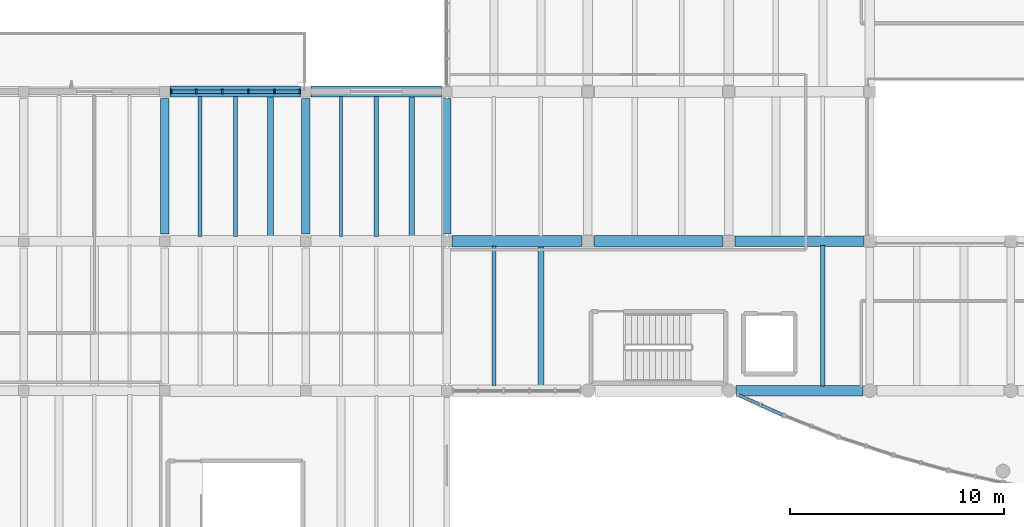
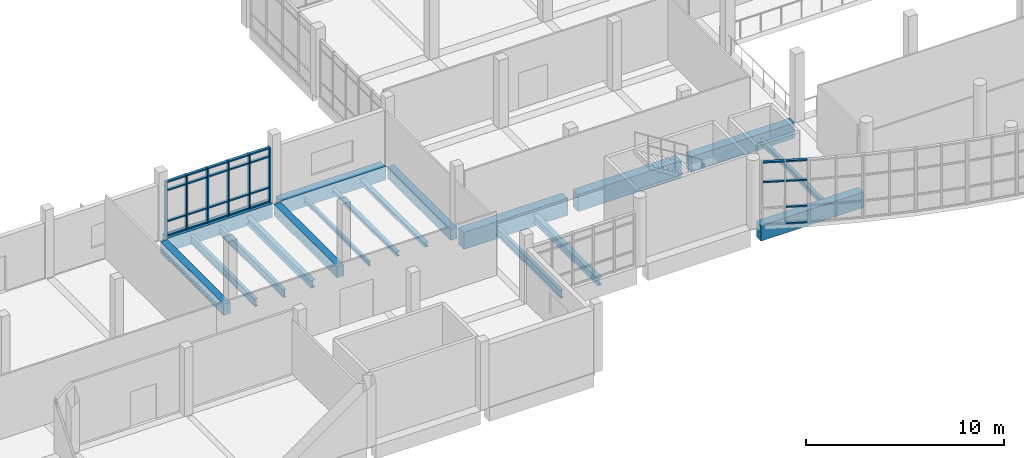
# One storey, part 5 of 65: 32 members, 18 beams, 2 elements without a shape of their own.
"""IFC4 building model written with IfcOpenShell, lengths in metres."""

from ifc_helpers import new_model, si_unit, direction, frame, origin, origin_2d, place, context, subcontext, project, spatial, rectangle, i_section, extrude, material, material_profile, profile_set, type_object, element, aggregate, save


model = new_model("IFC4")

# Units and contexts
model_context = context("Model", 3, precision=1e-05, world=origin(), true_north=direction((0.0, 1.0)))
body_context = subcontext(model_context, "Body", "Model", "MODEL_VIEW")
ifc_project = project(units=[si_unit("LENGTHUNIT", "METRE"), si_unit("AREAUNIT", "SQUARE_METRE"), si_unit("VOLUMEUNIT", "CUBIC_METRE"), si_unit("PLANEANGLEUNIT", "RADIAN"), si_unit("MASSUNIT", "GRAM", prefix="KILO")], contexts=[model_context])

# Site, building, storey
site_placement = place(None, origin())
site = spatial("IfcSite", under=ifc_project, at=site_placement, CompositionType="ELEMENT")
building_placement = place(site_placement, origin())
building = spatial("IfcBuilding", under=site, at=building_placement, Name="Ciguamira Faculty of Natural Sciences", CompositionType="ELEMENT")
storey_placement = place(building_placement, frame((0.0, 0.0, 12.60009765625)))
storey = spatial("IfcBuildingStorey", under=building, at=storey_placement, Name="L03", CompositionType="ELEMENT", Elevation=12.60009765625)

# Curtain wall, members
ifc_material_1 = material(Name="Anodized aluminium curtain wall", Category="aluminium")
curtain_wall_type = type_object("IfcCurtainWallType", Name="CurtainWall_CW-12", PredefinedType="USERDEFINED", material=ifc_material_1)
curtain_wall_1_placement = place(storey_placement, origin())
curtain_wall_1 = element("IfcCurtainWall", 1, at=curtain_wall_1_placement, inside=storey, type_object=curtain_wall_type, Name="L03 unitised curtain wall 0084", ObjectType="UNITISED CURTAIN WALL", PredefinedType="USERDEFINED")
ifc_material_2 = material(Name="Anodized aluminium mullion", Category="aluminium")
ifc_material_profile_1 = material_profile(ifc_material_2, rectangle(XDim=0.080078125, YDim=0.219970703125, at=origin_2d()), Name="ALU-MUL-80X220")
ifc_profile_set_1 = profile_set([ifc_material_profile_1], Name="Anodized aluminium mullion")
member_type_1 = type_object("IfcMemberType", Name="CWMullion_CWM-03", PredefinedType="MULLION", material=ifc_profile_set_1)
member_1_placement = place(storey_placement, frame((37.7900390625, 24.0, 0.0), z_axis=(0.0, 0.0, 1.0), x_axis=(1.0, 0.0, 0.0)))
member_1 = element("IfcMember", 2, at=member_1_placement, type_object=member_type_1, Name="CW-12 mullion 1", PredefinedType="MULLION", context=body_context, shape_type="SweptSolid", body=[
    extrude(rectangle(XDim=0.080078125, YDim=0.219970703125, at=origin_2d()), origin(), (0.0, 0.0, 1.0), 3.364990234375),
])
member_2_placement = place(storey_placement, frame((38.969970703125, 24.0, 0.0), z_axis=(0.0, 0.0, 1.0), x_axis=(1.0, 0.0, 0.0)))
member_2 = element("IfcMember", 3, at=member_2_placement, type_object=member_type_1, Name="CW-12 mullion 2", PredefinedType="MULLION", context=body_context, shape_type="SweptSolid", body=[
    extrude(rectangle(XDim=0.080078125, YDim=0.219970703125, at=origin_2d()), origin(), (0.0, 0.0, 1.0), 3.364990234375),
])
member_3_placement = place(storey_placement, frame((40.18994140625, 24.0, 0.0), z_axis=(0.0, 0.0, 1.0), x_axis=(1.0, 0.0, 0.0)))
member_3 = element("IfcMember", 4, at=member_3_placement, type_object=member_type_1, Name="CW-12 mullion 3", PredefinedType="MULLION", context=body_context, shape_type="SweptSolid", body=[
    extrude(rectangle(XDim=0.080078125, YDim=0.219970703125, at=origin_2d()), origin(), (0.0, 0.0, 1.0), 3.364990234375),
])
member_4_placement = place(storey_placement, frame((41.409912109375, 24.0, 0.0), z_axis=(0.0, 0.0, 1.0), x_axis=(1.0, 0.0, 0.0)))
member_4 = element("IfcMember", 5, at=member_4_placement, type_object=member_type_1, Name="CW-12 mullion 4", PredefinedType="MULLION", context=body_context, shape_type="SweptSolid", body=[
    extrude(rectangle(XDim=0.080078125, YDim=0.219970703125, at=origin_2d()), origin(), (0.0, 0.0, 1.0), 3.364990234375),
])
member_5_placement = place(storey_placement, frame((42.6298828125, 24.0, 0.0), z_axis=(0.0, 0.0, 1.0), x_axis=(1.0, 0.0, 0.0)))
member_5 = element("IfcMember", 6, at=member_5_placement, type_object=member_type_1, Name="CW-12 mullion 5", PredefinedType="MULLION", context=body_context, shape_type="SweptSolid", body=[
    extrude(rectangle(XDim=0.080078125, YDim=0.219970703125, at=origin_2d()), origin(), (0.0, 0.0, 1.0), 3.364990234375),
])
member_6_placement = place(storey_placement, frame((43.81005859375, 24.0, 0.0), z_axis=(0.0, 0.0, 1.0), x_axis=(1.0, 0.0, 0.0)))
member_6 = element("IfcMember", 7, at=member_6_placement, type_object=member_type_1, Name="CW-12 mullion 6", PredefinedType="MULLION", context=body_context, shape_type="SweptSolid", body=[
    extrude(rectangle(XDim=0.080078125, YDim=0.219970703125, at=origin_2d()), origin(), (0.0, 0.0, 1.0), 3.364990234375),
])
ifc_material_3 = material(Name="Anodized aluminium transom", Category="aluminium")
ifc_material_profile_2 = material_profile(ifc_material_3, rectangle(XDim=0.080078125, YDim=0.159912109375, at=origin_2d()), Name="ALU-TRN-80X160")
ifc_profile_set_2 = profile_set([ifc_material_profile_2], Name="Anodized aluminium transom")
member_type_2 = type_object("IfcMemberType", Name="CWTransom_CWT-03", PredefinedType="USERDEFINED", material=ifc_profile_set_2)
member_7_placement = place(storey_placement, frame((37.830078125, 24.0, 0.039794921875), z_axis=(1.0, 0.0, 0.0), x_axis=(0.0, 0.0, 1.0)))
member_7 = element("IfcMember", 8, at=member_7_placement, type_object=member_type_2, Name="CW-12 transom 1.1", ObjectType="TRANSOM", PredefinedType="USERDEFINED", context=body_context, shape_type="SweptSolid", body=[
    extrude(rectangle(XDim=0.080078125, YDim=0.159912109375, at=origin_2d()), origin(), (0.0, 0.0, 1.0), 1.099853515625),
])
member_8_placement = place(storey_placement, frame((37.830078125, 24.0, 0.89990234375), z_axis=(1.0, 0.0, 0.0), x_axis=(0.0, 0.0, 1.0)))
member_8 = element("IfcMember", 9, at=member_8_placement, type_object=member_type_2, Name="CW-12 transom 1.2", ObjectType="TRANSOM", PredefinedType="USERDEFINED", context=body_context, shape_type="SweptSolid", body=[
    extrude(rectangle(XDim=0.080078125, YDim=0.159912109375, at=origin_2d()), origin(), (0.0, 0.0, 1.0), 1.099853515625),
])
member_9_placement = place(storey_placement, frame((37.830078125, 24.0, 2.81494140625), z_axis=(1.0, 0.0, 0.0), x_axis=(0.0, 0.0, 1.0)))
member_9 = element("IfcMember", 10, at=member_9_placement, type_object=member_type_2, Name="CW-12 transom 1.3", ObjectType="TRANSOM", PredefinedType="USERDEFINED", context=body_context, shape_type="SweptSolid", body=[
    extrude(rectangle(XDim=0.080078125, YDim=0.159912109375, at=origin_2d()), origin(), (0.0, 0.0, 1.0), 1.099853515625),
])
member_10_placement = place(storey_placement, frame((37.830078125, 24.0, 3.324951171875), z_axis=(1.0, 0.0, 0.0), x_axis=(0.0, 0.0, 1.0)))
member_10 = element("IfcMember", 11, at=member_10_placement, type_object=member_type_2, Name="CW-12 transom 1.4", ObjectType="TRANSOM", PredefinedType="USERDEFINED", context=body_context, shape_type="SweptSolid", body=[
    extrude(rectangle(XDim=0.080078125, YDim=0.159912109375, at=origin_2d()), origin(), (0.0, 0.0, 1.0), 1.099853515625),
])
member_11_placement = place(storey_placement, frame((39.010009765625, 24.0, 0.039794921875), z_axis=(1.0, 0.0, 0.0), x_axis=(0.0, 0.0, 1.0)))
member_11 = element("IfcMember", 12, at=member_11_placement, type_object=member_type_2, Name="CW-12 transom 2.1", ObjectType="TRANSOM", PredefinedType="USERDEFINED", context=body_context, shape_type="SweptSolid", body=[
    extrude(rectangle(XDim=0.080078125, YDim=0.159912109375, at=origin_2d()), origin(), (0.0, 0.0, 1.0), 1.139892578125),
])
member_12_placement = place(storey_placement, frame((39.010009765625, 24.0, 0.89990234375), z_axis=(1.0, 0.0, 0.0), x_axis=(0.0, 0.0, 1.0)))
member_12 = element("IfcMember", 13, at=member_12_placement, type_object=member_type_2, Name="CW-12 transom 2.2", ObjectType="TRANSOM", PredefinedType="USERDEFINED", context=body_context, shape_type="SweptSolid", body=[
    extrude(rectangle(XDim=0.080078125, YDim=0.159912109375, at=origin_2d()), origin(), (0.0, 0.0, 1.0), 1.139892578125),
])
member_13_placement = place(storey_placement, frame((39.010009765625, 24.0, 2.81494140625), z_axis=(1.0, 0.0, 0.0), x_axis=(0.0, 0.0, 1.0)))
member_13 = element("IfcMember", 14, at=member_13_placement, type_object=member_type_2, Name="CW-12 transom 2.3", ObjectType="TRANSOM", PredefinedType="USERDEFINED", context=body_context, shape_type="SweptSolid", body=[
    extrude(rectangle(XDim=0.080078125, YDim=0.159912109375, at=origin_2d()), origin(), (0.0, 0.0, 1.0), 1.139892578125),
])
member_14_placement = place(storey_placement, frame((39.010009765625, 24.0, 3.324951171875), z_axis=(1.0, 0.0, 0.0), x_axis=(0.0, 0.0, 1.0)))
member_14 = element("IfcMember", 15, at=member_14_placement, type_object=member_type_2, Name="CW-12 transom 2.4", ObjectType="TRANSOM", PredefinedType="USERDEFINED", context=body_context, shape_type="SweptSolid", body=[
    extrude(rectangle(XDim=0.080078125, YDim=0.159912109375, at=origin_2d()), origin(), (0.0, 0.0, 1.0), 1.139892578125),
])
member_15_placement = place(storey_placement, frame((40.22998046875, 24.0, 0.039794921875), z_axis=(1.0, 0.0, 0.0), x_axis=(0.0, 0.0, 1.0)))
member_15 = element("IfcMember", 16, at=member_15_placement, type_object=member_type_2, Name="CW-12 transom 3.1", ObjectType="TRANSOM", PredefinedType="USERDEFINED", context=body_context, shape_type="SweptSolid", body=[
    extrude(rectangle(XDim=0.080078125, YDim=0.159912109375, at=origin_2d()), origin(), (0.0, 0.0, 1.0), 1.14013671875),
])
member_16_placement = place(storey_placement, frame((40.22998046875, 24.0, 0.89990234375), z_axis=(1.0, 0.0, 0.0), x_axis=(0.0, 0.0, 1.0)))
member_16 = element("IfcMember", 17, at=member_16_placement, type_object=member_type_2, Name="CW-12 transom 3.2", ObjectType="TRANSOM", PredefinedType="USERDEFINED", context=body_context, shape_type="SweptSolid", body=[
    extrude(rectangle(XDim=0.080078125, YDim=0.159912109375, at=origin_2d()), origin(), (0.0, 0.0, 1.0), 1.14013671875),
])
member_17_placement = place(storey_placement, frame((40.22998046875, 24.0, 2.81494140625), z_axis=(1.0, 0.0, 0.0), x_axis=(0.0, 0.0, 1.0)))
member_17 = element("IfcMember", 18, at=member_17_placement, type_object=member_type_2, Name="CW-12 transom 3.3", ObjectType="TRANSOM", PredefinedType="USERDEFINED", context=body_context, shape_type="SweptSolid", body=[
    extrude(rectangle(XDim=0.080078125, YDim=0.159912109375, at=origin_2d()), origin(), (0.0, 0.0, 1.0), 1.14013671875),
])
member_18_placement = place(storey_placement, frame((40.22998046875, 24.0, 3.324951171875), z_axis=(1.0, 0.0, 0.0), x_axis=(0.0, 0.0, 1.0)))
member_18 = element("IfcMember", 19, at=member_18_placement, type_object=member_type_2, Name="CW-12 transom 3.4", ObjectType="TRANSOM", PredefinedType="USERDEFINED", context=body_context, shape_type="SweptSolid", body=[
    extrude(rectangle(XDim=0.080078125, YDim=0.159912109375, at=origin_2d()), origin(), (0.0, 0.0, 1.0), 1.14013671875),
])
member_19_placement = place(storey_placement, frame((41.449951171875, 24.0, 0.039794921875), z_axis=(1.0, 0.0, 0.0), x_axis=(0.0, 0.0, 1.0)))
member_19 = element("IfcMember", 20, at=member_19_placement, type_object=member_type_2, Name="CW-12 transom 4.1", ObjectType="TRANSOM", PredefinedType="USERDEFINED", context=body_context, shape_type="SweptSolid", body=[
    extrude(rectangle(XDim=0.080078125, YDim=0.159912109375, at=origin_2d()), origin(), (0.0, 0.0, 1.0), 1.14013671875),
])
member_20_placement = place(storey_placement, frame((41.449951171875, 24.0, 0.89990234375), z_axis=(1.0, 0.0, 0.0), x_axis=(0.0, 0.0, 1.0)))
member_20 = element("IfcMember", 21, at=member_20_placement, type_object=member_type_2, Name="CW-12 transom 4.2", ObjectType="TRANSOM", PredefinedType="USERDEFINED", context=body_context, shape_type="SweptSolid", body=[
    extrude(rectangle(XDim=0.080078125, YDim=0.159912109375, at=origin_2d()), origin(), (0.0, 0.0, 1.0), 1.14013671875),
])
member_21_placement = place(storey_placement, frame((41.449951171875, 24.0, 2.81494140625), z_axis=(1.0, 0.0, 0.0), x_axis=(0.0, 0.0, 1.0)))
member_21 = element("IfcMember", 22, at=member_21_placement, type_object=member_type_2, Name="CW-12 transom 4.3", ObjectType="TRANSOM", PredefinedType="USERDEFINED", context=body_context, shape_type="SweptSolid", body=[
    extrude(rectangle(XDim=0.080078125, YDim=0.159912109375, at=origin_2d()), origin(), (0.0, 0.0, 1.0), 1.14013671875),
])
member_22_placement = place(storey_placement, frame((41.449951171875, 24.0, 3.324951171875), z_axis=(1.0, 0.0, 0.0), x_axis=(0.0, 0.0, 1.0)))
member_22 = element("IfcMember", 23, at=member_22_placement, type_object=member_type_2, Name="CW-12 transom 4.4", ObjectType="TRANSOM", PredefinedType="USERDEFINED", context=body_context, shape_type="SweptSolid", body=[
    extrude(rectangle(XDim=0.080078125, YDim=0.159912109375, at=origin_2d()), origin(), (0.0, 0.0, 1.0), 1.14013671875),
])
member_23_placement = place(storey_placement, frame((42.669921875, 24.0, 0.039794921875), z_axis=(1.0, 0.0, 0.0), x_axis=(0.0, 0.0, 1.0)))
member_23 = element("IfcMember", 24, at=member_23_placement, type_object=member_type_2, Name="CW-12 transom 5.1", ObjectType="TRANSOM", PredefinedType="USERDEFINED", context=body_context, shape_type="SweptSolid", body=[
    extrude(rectangle(XDim=0.080078125, YDim=0.159912109375, at=origin_2d()), origin(), (0.0, 0.0, 1.0), 1.10009765625),
])
member_24_placement = place(storey_placement, frame((42.669921875, 24.0, 0.89990234375), z_axis=(1.0, 0.0, 0.0), x_axis=(0.0, 0.0, 1.0)))
member_24 = element("IfcMember", 25, at=member_24_placement, type_object=member_type_2, Name="CW-12 transom 5.2", ObjectType="TRANSOM", PredefinedType="USERDEFINED", context=body_context, shape_type="SweptSolid", body=[
    extrude(rectangle(XDim=0.080078125, YDim=0.159912109375, at=origin_2d()), origin(), (0.0, 0.0, 1.0), 1.10009765625),
])
member_25_placement = place(storey_placement, frame((42.669921875, 24.0, 2.81494140625), z_axis=(1.0, 0.0, 0.0), x_axis=(0.0, 0.0, 1.0)))
member_25 = element("IfcMember", 26, at=member_25_placement, type_object=member_type_2, Name="CW-12 transom 5.3", ObjectType="TRANSOM", PredefinedType="USERDEFINED", context=body_context, shape_type="SweptSolid", body=[
    extrude(rectangle(XDim=0.080078125, YDim=0.159912109375, at=origin_2d()), origin(), (0.0, 0.0, 1.0), 1.10009765625),
])
member_26_placement = place(storey_placement, frame((42.669921875, 24.0, 3.324951171875), z_axis=(1.0, 0.0, 0.0), x_axis=(0.0, 0.0, 1.0)))
member_26 = element("IfcMember", 27, at=member_26_placement, type_object=member_type_2, Name="CW-12 transom 5.4", ObjectType="TRANSOM", PredefinedType="USERDEFINED", context=body_context, shape_type="SweptSolid", body=[
    extrude(rectangle(XDim=0.080078125, YDim=0.159912109375, at=origin_2d()), origin(), (0.0, 0.0, 1.0), 1.10009765625),
])
aggregate(curtain_wall_1, [member_1, member_2, member_3, member_4, member_5, member_6, member_7, member_8, member_9, member_10, member_11, member_12, member_13, member_14, member_15, member_16, member_17, member_18, member_19, member_20, member_21, member_22, member_23, member_24, member_25, member_26])

curtain_wall_2_placement = place(storey_placement, origin())
curtain_wall_2 = element("IfcCurtainWall", 28, at=curtain_wall_2_placement, inside=storey, type_object=curtain_wall_type, Name="L03 south gallery curved curtain wall 01", ObjectType="UNITISED CURTAIN WALL", PredefinedType="USERDEFINED")
member_27_placement = place(storey_placement, frame((64.355224609375, 9.793212890625, 2.64990234375), z_axis=(0.910621924114, -0.413240500585, 0.0), x_axis=(0.0, 0.0, 1.0)))
member_27 = element("IfcMember", 29, at=member_27_placement, type_object=member_type_2, Name="CW-12 transom 1.3", ObjectType="TRANSOM", PredefinedType="USERDEFINED", context=body_context, shape_type="SweptSolid", body=[
    extrude(rectangle(XDim=0.080078125, YDim=0.159912109375, at=origin_2d()), origin(), (0.0, 0.0, 1.0), 1.079345703125),
])
member_28_placement = place(storey_placement, frame((64.355224609375, 9.793212890625, 3.85986328125), z_axis=(0.910621924114, -0.413240500585, 0.0), x_axis=(0.0, 0.0, 1.0)))
member_28 = element("IfcMember", 30, at=member_28_placement, type_object=member_type_2, Name="CW-12 transom 1.4", ObjectType="TRANSOM", PredefinedType="USERDEFINED", context=body_context, shape_type="SweptSolid", body=[
    extrude(rectangle(XDim=0.080078125, YDim=0.159912109375, at=origin_2d()), origin(), (0.0, 0.0, 1.0), 1.079345703125),
])
member_29_placement = place(storey_placement, frame((65.410888671875, 9.314208984375, 0.039794921875), z_axis=(0.910536797913, -0.413428034422, 0.0), x_axis=(0.0, 0.0, 1.0)))
member_29 = element("IfcMember", 31, at=member_29_placement, type_object=member_type_2, Name="CW-12 transom 2.1", ObjectType="TRANSOM", PredefinedType="USERDEFINED", context=body_context, shape_type="SweptSolid", body=[
    extrude(rectangle(XDim=0.080078125, YDim=0.159912109375, at=origin_2d()), origin(), (0.0, 0.0, 1.0), 1.07958984375),
])
member_30_placement = place(storey_placement, frame((65.410888671875, 9.314208984375, 1.0498046875), z_axis=(0.910536797913, -0.413428034422, 0.0), x_axis=(0.0, 0.0, 1.0)))
member_30 = element("IfcMember", 32, at=member_30_placement, type_object=member_type_2, Name="CW-12 transom 2.2", ObjectType="TRANSOM", PredefinedType="USERDEFINED", context=body_context, shape_type="SweptSolid", body=[
    extrude(rectangle(XDim=0.080078125, YDim=0.159912109375, at=origin_2d()), origin(), (0.0, 0.0, 1.0), 1.07958984375),
])
member_31_placement = place(storey_placement, frame((65.410888671875, 9.314208984375, 2.64990234375), z_axis=(0.910536797913, -0.413428034422, 0.0), x_axis=(0.0, 0.0, 1.0)))
member_31 = element("IfcMember", 33, at=member_31_placement, type_object=member_type_2, Name="CW-12 transom 2.3", ObjectType="TRANSOM", PredefinedType="USERDEFINED", context=body_context, shape_type="SweptSolid", body=[
    extrude(rectangle(XDim=0.080078125, YDim=0.159912109375, at=origin_2d()), origin(), (0.0, 0.0, 1.0), 1.07958984375),
])
member_32_placement = place(storey_placement, frame((65.410888671875, 9.314208984375, 3.85986328125), z_axis=(0.910536797913, -0.413428034422, 0.0), x_axis=(0.0, 0.0, 1.0)))
member_32 = element("IfcMember", 34, at=member_32_placement, type_object=member_type_2, Name="CW-12 transom 2.4", ObjectType="TRANSOM", PredefinedType="USERDEFINED", context=body_context, shape_type="SweptSolid", body=[
    extrude(rectangle(XDim=0.080078125, YDim=0.159912109375, at=origin_2d()), origin(), (0.0, 0.0, 1.0), 1.07958984375),
])
aggregate(curtain_wall_2, [member_27, member_28, member_29, member_30, member_31, member_32])

# Beams
ifc_material_4 = material(Name="Concrete C40/50", Category="concrete")
ifc_material_profile_3 = material_profile(ifc_material_4, rectangle(XDim=0.550048828125, YDim=1.050048828125, at=origin_2d()), Name="RC-BM-550X1050")
ifc_profile_set_3 = profile_set([ifc_material_profile_3], Name="Concrete C40/50")
beam_type_1 = type_object("IfcBeamType", Name="RCBeam_BG-01_RC-BM-550X1050", PredefinedType="BEAM", material=ifc_profile_set_3)
beam_1_placement = place(storey_placement, frame((50.949951171875, 17.0, -0.525146484375), z_axis=(1.0, 0.0, 0.0), x_axis=(0.0, 1.0, 0.0)))
element("IfcBeam", 35, at=beam_1_placement, inside=storey, type_object=beam_type_1, Name="L03 RC girder EW-1045", PredefinedType="BEAM", context=body_context, shape_type="SweptSolid", body=[
    extrude(rectangle(XDim=0.550048828125, YDim=1.050048828125, at=origin_2d()), origin(), (0.0, 0.0, 1.0), 6.050048828125),
])
beam_2_placement = place(storey_placement, frame((57.60009765625, 17.0, -0.525146484375), z_axis=(1.0, 0.0, 0.0), x_axis=(0.0, 1.0, 0.0)))
element("IfcBeam", 36, at=beam_2_placement, inside=storey, type_object=beam_type_1, Name="L03 RC girder EW-1046", PredefinedType="BEAM", context=body_context, shape_type="SweptSolid", body=[
    extrude(rectangle(XDim=0.550048828125, YDim=1.050048828125, at=origin_2d()), origin(), (0.0, 0.0, 1.0), 6.0),
])
ifc_material_profile_4 = material_profile(ifc_material_4, rectangle(XDim=0.5, YDim=0.949951171875, at=origin_2d()), Name="RC-BM-500X950")
ifc_profile_set_4 = profile_set([ifc_material_profile_4], Name="Concrete C40/50")
beam_type_2 = type_object("IfcBeamType", Name="RCBeam_BG-02_RC-BM-500X950", PredefinedType="BEAM", material=ifc_profile_set_4)
beam_3_placement = place(storey_placement, frame((64.22509765625, 10.0, -0.47509765625), z_axis=(1.0, 0.0, 0.0), x_axis=(0.0, 1.0, 0.0)))
element("IfcBeam", 37, at=beam_3_placement, inside=storey, type_object=beam_type_2, Name="L03 RC girder EW-1029", PredefinedType="BEAM", context=body_context, shape_type="SweptSolid", body=[
    extrude(rectangle(XDim=0.5, YDim=0.949951171875, at=origin_2d()), origin(), (0.0, 0.0, 1.0), 5.949951171875),
])
beam_4_placement = place(storey_placement, frame((64.199951171875, 17.0, -0.47509765625), z_axis=(1.0, 0.0, 0.0), x_axis=(0.0, 1.0, 0.0)))
element("IfcBeam", 38, at=beam_4_placement, inside=storey, type_object=beam_type_2, Name="L03 RC girder EW-1047", PredefinedType="BEAM", context=body_context, shape_type="SweptSolid", body=[
    extrude(rectangle(XDim=0.5, YDim=0.949951171875, at=origin_2d()), origin(), (0.0, 0.0, 1.0), 6.0),
])
ifc_material_profile_5 = material_profile(ifc_material_4, rectangle(XDim=0.39990234375, YDim=0.699951171875, at=origin_2d()), Name="RC-BM-400X700")
ifc_profile_set_5 = profile_set([ifc_material_profile_5], Name="Concrete C40/50")
beam_type_3 = type_object("IfcBeamType", Name="RCBeam_BG-08_RC-BM-400X700", PredefinedType="BEAM", material=ifc_profile_set_5)
for number, where, z_axis, x_axis, name in (
    (39, (37.5, 17.324951171875, -0.35009765625), (0.0, 1.0, 0.0), (-1.0, 0.0, 0.0), "L03 girder NS-1197"),
    (40, (44.10009765625, 17.324951171875, -0.35009765625), (0.0, 1.0, 0.0), (-1.0, 0.0, 0.0), "L03 girder NS-1199"),
    (41, (50.699951171875, 17.324951171875, -0.35009765625), (0.0, 1.0, 0.0), (-1.0, 0.0, 0.0), "L03 girder NS-1202"),
):
    element("IfcBeam", number, at=place(storey_placement, frame(where, z_axis=z_axis, x_axis=x_axis)), inside=storey, type_object=beam_type_3, Name=name, PredefinedType="BEAM", context=body_context, shape_type="SweptSolid", body=[
        extrude(rectangle(XDim=0.39990234375, YDim=0.699951171875, at=origin_2d()), origin(), (0.0, 0.0, 1.0), 6.35009765625),
    ])
ifc_material_profile_6 = material_profile(ifc_material_4, rectangle(XDim=0.52001953125, YDim=0.840087890625, at=origin_2d()), Name="RC-TB-520X840")
ifc_profile_set_6 = profile_set([ifc_material_profile_6], Name="Concrete C40/50")
beam_type_4 = type_object("IfcBeamType", Name="RCBeam_TB-02_RC-TB-520X840", PredefinedType="T_BEAM", material=ifc_profile_set_6)
beam_5_placement = place(storey_placement, frame((37.75, 24.0, -0.420166015625), z_axis=(1.0, 0.0, 0.0), x_axis=(0.0, 1.0, 0.0)))
element("IfcBeam", 42, at=beam_5_placement, inside=storey, type_object=beam_type_4, Name="L03 RC girder EW-1061", PredefinedType="T_BEAM", context=body_context, shape_type="SweptSolid", body=[
    extrude(rectangle(XDim=0.52001953125, YDim=0.840087890625, at=origin_2d()), origin(), (0.0, 0.0, 1.0), 6.10009765625),
])
beam_6_placement = place(storey_placement, frame((44.35009765625, 24.0, -0.420166015625), z_axis=(1.0, 0.0, 0.0), x_axis=(0.0, 1.0, 0.0)))
element("IfcBeam", 43, at=beam_6_placement, inside=storey, type_object=beam_type_4, Name="L03 RC girder EW-1062", PredefinedType="T_BEAM", context=body_context, shape_type="SweptSolid", body=[
    extrude(rectangle(XDim=0.52001953125, YDim=0.840087890625, at=origin_2d()), origin(), (0.0, 0.0, 1.0), 6.099853515625),
])
ifc_material_5 = material(Name="Steel ASTM A992 Grade 50", Category="steel")
ifc_material_profile_7 = material_profile(ifc_material_5, i_section(OverallWidth=0.14599609375, OverallDepth=0.259033203125, WebThickness=0.006103515625, FlangeThickness=0.009033203125, at=origin_2d()), Name="W10X22")
ifc_profile_set_7 = profile_set([ifc_material_profile_7], Name="Steel ASTM A992 Grade 50")
beam_type_5 = type_object("IfcBeamType", Name="SteelJoist_SJ-01_W10X22", PredefinedType="JOIST", material=ifc_profile_set_7)
beam_7_placement = place(storey_placement, frame((45.75, 17.219970703125, -0.3896484375), z_axis=(0.0, 1.0, 0.0), x_axis=(-1.0, 0.0, 0.0)))
element("IfcBeam", 44, at=beam_7_placement, inside=storey, type_object=beam_type_5, Name="L03 composite steel joist 01010", PredefinedType="JOIST", context=body_context, shape_type="SweptSolid", body=[
    extrude(i_section(OverallWidth=0.14599609375, OverallDepth=0.259033203125, WebThickness=0.006103515625, FlangeThickness=0.009033203125, at=origin_2d()), origin(), (0.0, 0.0, 1.0), 6.56005859375),
])
ifc_material_profile_8 = material_profile(ifc_material_5, i_section(OverallWidth=0.2021484375, OverallDepth=0.2470703125, WebThickness=0.00732421875, FlangeThickness=0.010986328125, at=origin_2d()), Name="W10X33")
ifc_profile_set_8 = profile_set([ifc_material_profile_8], Name="Steel ASTM A992 Grade 50")
beam_type_6 = type_object("IfcBeamType", Name="SteelJoist_SJ-02_W10X33", PredefinedType="JOIST", material=ifc_profile_set_8)
beam_8_placement = place(storey_placement, frame((47.39990234375, 17.219970703125, -0.3837890625), z_axis=(0.0, 1.0, 0.0), x_axis=(-1.0, 0.0, 0.0)))
element("IfcBeam", 45, at=beam_8_placement, inside=storey, type_object=beam_type_6, Name="L03 composite steel joist 01011", PredefinedType="JOIST", context=body_context, shape_type="SweptSolid", body=[
    extrude(i_section(OverallWidth=0.2021484375, OverallDepth=0.2470703125, WebThickness=0.00732421875, FlangeThickness=0.010986328125, at=origin_2d()), origin(), (0.0, 0.0, 1.0), 6.56005859375),
])
ifc_material_profile_9 = material_profile(ifc_material_5, i_section(OverallWidth=0.25390625, OverallDepth=0.25390625, WebThickness=0.008544921875, FlangeThickness=0.01416015625, at=origin_2d()), Name="W10X49")
ifc_profile_set_9 = profile_set([ifc_material_profile_9], Name="Steel ASTM A992 Grade 50")
beam_type_7 = type_object("IfcBeamType", Name="SteelJoist_SJ-03_W10X49", PredefinedType="JOIST", material=ifc_profile_set_9)
beam_9_placement = place(storey_placement, frame((49.050048828125, 17.219970703125, -0.38720703125), z_axis=(0.0, 1.0, 0.0), x_axis=(-1.0, 0.0, 0.0)))
element("IfcBeam", 46, at=beam_9_placement, inside=storey, type_object=beam_type_7, Name="L03 composite steel joist 01012", PredefinedType="JOIST", context=body_context, shape_type="SweptSolid", body=[
    extrude(i_section(OverallWidth=0.25390625, OverallDepth=0.25390625, WebThickness=0.008544921875, FlangeThickness=0.01416015625, at=origin_2d()), origin(), (0.0, 0.0, 1.0), 6.56005859375),
])
ifc_material_profile_10 = material_profile(ifc_material_5, i_section(OverallWidth=0.20458984375, OverallDepth=0.307373046875, WebThickness=0.008544921875, FlangeThickness=0.0146484375, at=origin_2d()), Name="W12X45")
ifc_profile_set_10 = profile_set([ifc_material_profile_10], Name="Steel ASTM A992 Grade 50")
beam_type_8 = type_object("IfcBeamType", Name="SteelJoist_SJ-06_W12X45", PredefinedType="JOIST", material=ifc_profile_set_10)
beam_10_placement = place(storey_placement, frame((68.300048828125, 10.2099609375, -0.453857421875), z_axis=(0.0, 1.0, 0.0), x_axis=(-1.0, 0.0, 0.0)))
element("IfcBeam", 47, at=beam_10_placement, inside=storey, type_object=beam_type_8, Name="L03 composite steel joist 01048", PredefinedType="JOIST", context=body_context, shape_type="SweptSolid", body=[
    extrude(i_section(OverallWidth=0.20458984375, OverallDepth=0.307373046875, WebThickness=0.008544921875, FlangeThickness=0.0146484375, at=origin_2d()), origin(), (0.0, 0.0, 1.0), 6.580078125),
])
ifc_material_profile_11 = material_profile(ifc_material_5, i_section(OverallWidth=0.1904296875, OverallDepth=0.457275390625, WebThickness=0.009033203125, FlangeThickness=0.014404296875, at=origin_2d()), Name="W18X50")
ifc_profile_set_11 = profile_set([ifc_material_profile_11], Name="Steel ASTM A992 Grade 50")
beam_type_9 = type_object("IfcBeamType", Name="SteelJoist_SJ-23_W18X50", PredefinedType="JOIST", material=ifc_profile_set_11)
beam_11_placement = place(storey_placement, frame((39.14990234375, 17.219970703125, -0.48876953125), z_axis=(0.0, 1.0, 0.0), x_axis=(-1.0, 0.0, 0.0)))
element("IfcBeam", 48, at=beam_11_placement, inside=storey, type_object=beam_type_9, Name="L03 composite steel joist 01001", PredefinedType="JOIST", context=body_context, shape_type="SweptSolid", body=[
    extrude(i_section(OverallWidth=0.1904296875, OverallDepth=0.457275390625, WebThickness=0.009033203125, FlangeThickness=0.014404296875, at=origin_2d()), origin(), (0.0, 0.0, 1.0), 6.56005859375),
])
ifc_material_profile_12 = material_profile(ifc_material_5, i_section(OverallWidth=0.19287109375, OverallDepth=0.46728515625, WebThickness=0.011474609375, FlangeThickness=0.01904296875, at=origin_2d()), Name="W18X65")
ifc_profile_set_12 = profile_set([ifc_material_profile_12], Name="Steel ASTM A992 Grade 50")
beam_type_10 = type_object("IfcBeamType", Name="SteelJoist_SJ-24_W18X65", PredefinedType="JOIST", material=ifc_profile_set_12)
beam_12_placement = place(storey_placement, frame((40.800048828125, 17.219970703125, -0.493896484375), z_axis=(0.0, 1.0, 0.0), x_axis=(-1.0, 0.0, 0.0)))
element("IfcBeam", 49, at=beam_12_placement, inside=storey, type_object=beam_type_10, Name="L03 composite steel joist 01002", PredefinedType="JOIST", context=body_context, shape_type="SweptSolid", body=[
    extrude(i_section(OverallWidth=0.19287109375, OverallDepth=0.46728515625, WebThickness=0.011474609375, FlangeThickness=0.01904296875, at=origin_2d()), origin(), (0.0, 0.0, 1.0), 6.56005859375),
])
beam_13_placement = place(storey_placement, frame((52.89990234375, 10.235107421875, -0.53369140625), z_axis=(0.0, 1.0, 0.0), x_axis=(-1.0, 0.0, 0.0)))
element("IfcBeam", 50, at=beam_13_placement, inside=storey, type_object=beam_type_10, Name="L03 composite steel joist 01013", PredefinedType="JOIST", context=body_context, shape_type="SweptSolid", body=[
    extrude(i_section(OverallWidth=0.19287109375, OverallDepth=0.46728515625, WebThickness=0.011474609375, FlangeThickness=0.01904296875, at=origin_2d()), origin(), (0.0, 0.0, 1.0), 6.52978515625),
])
ifc_material_profile_13 = material_profile(ifc_material_5, i_section(OverallWidth=0.279296875, OverallDepth=0.462158203125, WebThickness=0.0107421875, FlangeThickness=0.017333984375, at=origin_2d()), Name="W18X76")
ifc_profile_set_13 = profile_set([ifc_material_profile_13], Name="Steel ASTM A992 Grade 50")
beam_type_11 = type_object("IfcBeamType", Name="SteelJoist_SJ-25_W18X76", PredefinedType="JOIST", material=ifc_profile_set_13)
beam_14_placement = place(storey_placement, frame((42.449951171875, 17.219970703125, -0.4912109375), z_axis=(0.0, 1.0, 0.0), x_axis=(-1.0, 0.0, 0.0)))
element("IfcBeam", 51, at=beam_14_placement, inside=storey, type_object=beam_type_11, Name="L03 composite steel joist 01003", PredefinedType="JOIST", context=body_context, shape_type="SweptSolid", body=[
    extrude(i_section(OverallWidth=0.279296875, OverallDepth=0.462158203125, WebThickness=0.0107421875, FlangeThickness=0.017333984375, at=origin_2d()), origin(), (0.0, 0.0, 1.0), 6.56005859375),
])
beam_15_placement = place(storey_placement, frame((55.10009765625, 10.235107421875, -0.53125), z_axis=(0.0, 1.0, 0.0), x_axis=(-1.0, 0.0, 0.0)))
element("IfcBeam", 52, at=beam_15_placement, inside=storey, type_object=beam_type_11, Name="L03 composite steel joist 01014", PredefinedType="JOIST", context=body_context, shape_type="SweptSolid", body=[
    extrude(i_section(OverallWidth=0.279296875, OverallDepth=0.462158203125, WebThickness=0.0107421875, FlangeThickness=0.017333984375, at=origin_2d()), origin(), (0.0, 0.0, 1.0), 6.52978515625),
])

save(model, "model.ifc")
